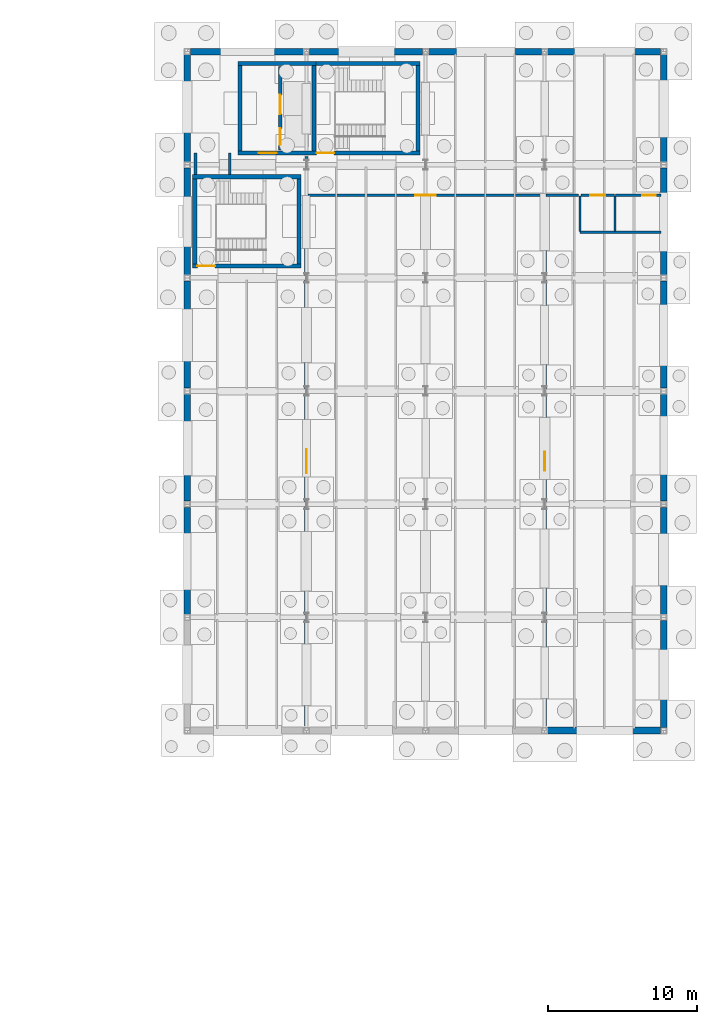
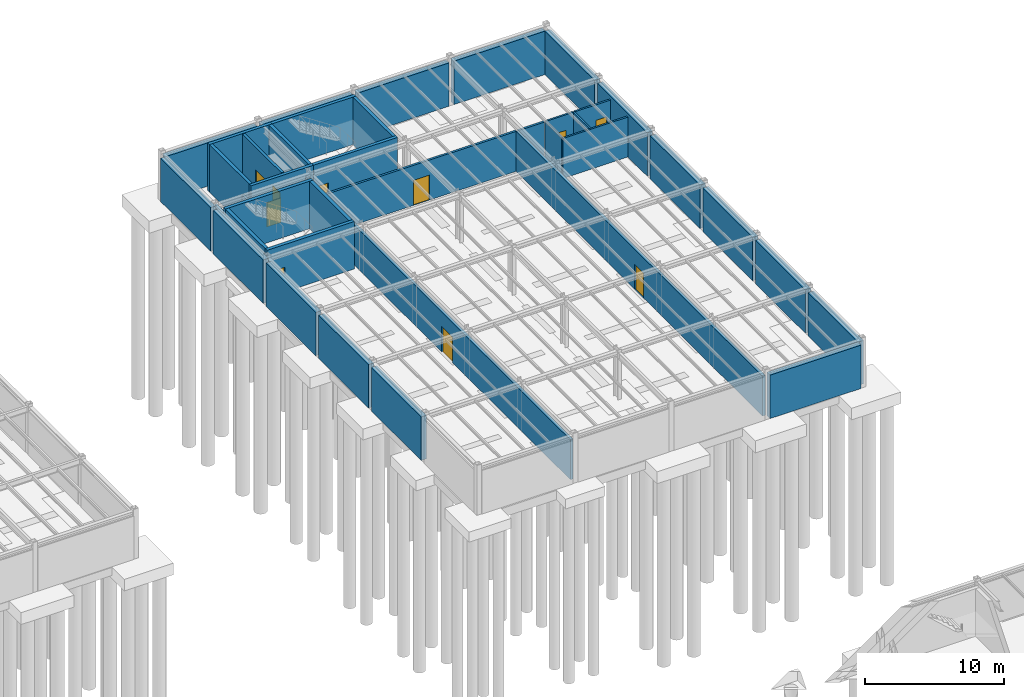
# One storey, part 29 of 33: 40 walls, 10 doors, 10 openings.
"""IFC4 building model written with IfcOpenShell, lengths in metres."""

import ifcopenshell
import ifcopenshell.guid

model = None  # the IFC model being written
_history = None  # IfcOwnerHistory: only IFC2X3 demands one
_inside = {}  # id of a spatial element -> (the spatial element, [elements in it])
_under = {}  # id of a project, library or spatial element -> (it, [spatial elements below it])
_declared = {}  # id of a project -> (the project, [libraries it declares])
_typed = {}  # id of a type object -> (the type object, [elements of that type])
_made_of = {}  # id of a material, layer set ... -> (it, [elements and type objects made of it])


def new_model(schema):
    """Start an empty IFC model of exactly this schema.

    Asked for "IFC4X3", IfcOpenShell would pick the latest addendum, in which some entities
    have other attributes; the version numbers below select the first issue.
    IFC2X3 requires an IfcOwnerHistory on every rooted entity: one is made here for all.
    """
    global model, _history
    if schema == "IFC4X3":
        model = ifcopenshell.file(schema_version=(4, 3, 0, 0))
    else:
        model = ifcopenshell.file(schema=schema)
    _inside.clear()
    _under.clear()
    _declared.clear()
    _typed.clear()
    _made_of.clear()
    _history = None
    if model.schema == "IFC2X3":
        org = make("IfcOrganization", Name="unknown")
        user = make(
            "IfcPersonAndOrganization",
            ThePerson=make("IfcPerson", FamilyName="unknown"),
            TheOrganization=org,
        )
        app = make(
            "IfcApplication",
            ApplicationDeveloper=org,
            Version="unknown",
            ApplicationFullName="unknown",
            ApplicationIdentifier="unknown",
        )
        _history = make(
            "IfcOwnerHistory",
            OwningUser=user,
            OwningApplication=app,
            ChangeAction="ADDED",
            CreationDate=0,
        )
    return model


def make(cls, **values):
    """One entity of the class cls with the attributes given. An attribute that is None is left unset."""
    return model.create_entity(
        cls, **{name: value for name, value in values.items() if value is not None}
    )


def rooted(cls, **values):
    """An entity with a GlobalId (a new one), such as an element, a storey or a relation."""
    return make(cls, GlobalId=ifcopenshell.guid.new(), OwnerHistory=_history, **values)


def si_unit(unit_type, name, prefix=None):
    """IfcSIUnit, for example si_unit("LENGTHUNIT", "METRE", prefix="MILLI")."""
    return make("IfcSIUnit", UnitType=unit_type, Prefix=prefix, Name=name)


def assignment(units):
    """IfcUnitAssignment: the units of a project."""
    return None if units is None else make("IfcUnitAssignment", Units=units)


def point(xyz):
    """IfcCartesianPoint."""
    return None if xyz is None else make("IfcCartesianPoint", Coordinates=xyz)


def direction(xyz):
    """IfcDirection."""
    return None if xyz is None else make("IfcDirection", DirectionRatios=xyz)


def frame(location, z_axis=None, x_axis=None):
    """IfcAxis2Placement3D, a coordinate frame: its origin and axes. An axis left out is left unset."""
    return make(
        "IfcAxis2Placement3D",
        Location=point(location),
        Axis=direction(z_axis),
        RefDirection=direction(x_axis),
    )


def frame_2d(location, x_axis=None):
    """IfcAxis2Placement2D, a coordinate frame in the plane: its origin and x axis."""
    return make(
        "IfcAxis2Placement2D", Location=point(location), RefDirection=direction(x_axis)
    )


def origin():
    """The frame at (0, 0, 0) with its axes left unset."""
    return frame((0.0, 0.0, 0.0))


def place(relative_to, where):
    """IfcLocalPlacement: puts the frame where relative to a parent placement (None: the world)."""
    return make(
        "IfcLocalPlacement", PlacementRelTo=relative_to, RelativePlacement=where
    )


def context(
    kind, dimensions, precision=None, world=None, true_north=None, identifier=None
):
    """IfcGeometricRepresentationContext, for example the 3D "Model" context."""
    return make(
        "IfcGeometricRepresentationContext",
        ContextIdentifier=identifier,
        ContextType=kind,
        CoordinateSpaceDimension=dimensions,
        Precision=precision,
        WorldCoordinateSystem=world,
        TrueNorth=true_north,
    )


def subcontext(parent, identifier, kind, view, scale=None):
    """IfcGeometricRepresentationSubContext, for example "Body" below "Model"."""
    return make(
        "IfcGeometricRepresentationSubContext",
        ContextIdentifier=identifier,
        ContextType=kind,
        ParentContext=parent,
        TargetScale=scale,
        TargetView=view,
    )


def project(units=None, contexts=None):
    """IfcProject with its units and contexts."""
    return rooted(
        "IfcProject",
        Name="project",
        RepresentationContexts=contexts,
        UnitsInContext=assignment(units),
    )


def spatial(cls, under=None, at=None, **own):
    """A site, building, storey or space (cls), placed at a placement, below another one or the project."""
    s = rooted(cls, ObjectPlacement=at, **own)
    if under is not None:
        _under.setdefault(under.id(), (under, []))[1].append(s)
    return s


def profile(cls, at=None, kind="AREA", **sizes):
    """A parametric profile (cls). Its sizes go by their IFC names, for example OverallWidth=200.0."""
    return make(cls, ProfileType=kind, Position=at, **sizes)


def rectangle(**sizes):
    """IfcRectangleProfileDef."""
    return profile("IfcRectangleProfileDef", **sizes)


def extrude(swept, where, along, depth):
    """IfcExtrudedAreaSolid: the profile swept, set in the frame where, extruded along a direction by depth."""
    return make(
        "IfcExtrudedAreaSolid",
        SweptArea=swept,
        Position=where,
        ExtrudedDirection=direction(along),
        Depth=depth,
    )


def shape(context_of_items, identifier, shape_type, items):
    """IfcShapeRepresentation: the items that make up one representation, for example the "Body"."""
    return make(
        "IfcShapeRepresentation",
        ContextOfItems=context_of_items,
        RepresentationIdentifier=identifier,
        RepresentationType=shape_type,
        Items=items,
    )


def material(Name=None, Category=None):
    """IfcMaterial."""
    return make("IfcMaterial", Name=Name, Category=Category)


def layer(
    of_material, thickness, ventilated=None, Name=None, Category=None, Priority=None
):
    """IfcMaterialLayer: one layer of a wall or slab, of a material (None: an air gap)."""
    return make(
        "IfcMaterialLayer",
        Material=of_material,
        LayerThickness=thickness,
        IsVentilated=ventilated,
        Name=Name,
        Category=Category,
        Priority=Priority,
    )


def layer_set(layers, Name=None):
    """IfcMaterialLayerSet."""
    return make("IfcMaterialLayerSet", MaterialLayers=layers, LayerSetName=Name)


def made_of(thing, what):
    """Note that an element or type object is made of a material, layer set ...; save() writes the relation."""
    if what is not None:
        _made_of.setdefault(what.id(), (what, []))[1].append(thing)
    return thing


def type_object(cls, material=None, **own):
    """A type object (cls), such as IfcWallType, which elements share."""
    return made_of(rooted(cls, **own), material)


def element(
    cls,
    number,
    at=None,
    inside=None,
    cuts=None,
    type_object=None,
    material=None,
    context=None,
    identifier="Body",
    shape_type=None,
    held_by="IfcProductDefinitionShape",
    body=None,
    shapes=None,
    **own,
):
    """One element of the class cls, such as IfcWall. Its Tag is "e" and its number.

    at: its placement. inside: the storey or other place that contains it. cuts: it is an
    opening in that element (IfcRelVoidsElement). A single representation is given by context,
    identifier, shape_type and body (its items); several are given by shapes. held_by: the class
    of the entity that holds the representations. save() writes the other relations.
    """
    e = rooted(cls, Tag="e%d" % number, ObjectPlacement=at, **own)
    if body is not None:
        shapes = [shape(context, identifier, shape_type, body)]
    if shapes is not None:
        e.Representation = make(held_by, Representations=shapes)
    if inside is not None:
        _inside.setdefault(inside.id(), (inside, []))[1].append(e)
    if cuts is not None:
        rooted(
            "IfcRelVoidsElement", RelatingBuildingElement=cuts, RelatedOpeningElement=e
        )
    if type_object is not None:
        _typed.setdefault(type_object.id(), (type_object, []))[1].append(e)
    return made_of(e, material)


def fill(opening, filler):
    """IfcRelFillsElement: the door or window that sits in an opening."""
    return rooted(
        "IfcRelFillsElement",
        RelatingOpeningElement=opening,
        RelatedBuildingElement=filler,
    )


def aggregate(whole, parts):
    """IfcRelAggregates: a whole, such as a stair, and the parts it consists of."""
    return rooted("IfcRelAggregates", RelatingObject=whole, RelatedObjects=parts)


def save(model, path):
    """Write the relations noted so far, then the file.

    IfcRelAggregates (storeys below a building ...), IfcRelContainedInSpatialStructure (elements
    in a storey), IfcRelDefinesByType, IfcRelAssociatesMaterial and IfcRelDeclares: one each for
    every whole, place, type object, material and project.
    """
    for whole, parts in _under.values():
        aggregate(whole, parts)
    for where, things in _inside.values():
        rooted(
            "IfcRelContainedInSpatialStructure",
            RelatedElements=things,
            RelatingStructure=where,
        )
    for kind, things in _typed.values():
        rooted("IfcRelDefinesByType", RelatedObjects=things, RelatingType=kind)
    for what, things in _made_of.values():
        rooted("IfcRelAssociatesMaterial", RelatedObjects=things, RelatingMaterial=what)
    for by, libraries in _declared.values():
        rooted("IfcRelDeclares", RelatingContext=by, RelatedDefinitions=libraries)
    model.write(path)


model = new_model("IFC4")

# Units and contexts
model_context = context("Model", 3, precision=1e-05, world=origin(), true_north=direction((0.0, 1.0)))
body_context = subcontext(model_context, "Body", "Model", "MODEL_VIEW")
ifc_project = project(units=[si_unit("LENGTHUNIT", "METRE"), si_unit("AREAUNIT", "SQUARE_METRE"), si_unit("VOLUMEUNIT", "CUBIC_METRE"), si_unit("PLANEANGLEUNIT", "RADIAN"), si_unit("MASSUNIT", "GRAM", prefix="KILO")], contexts=[model_context])

# Site, building, storey
site_placement = place(None, origin())
site = spatial("IfcSite", under=ifc_project, at=site_placement, CompositionType="ELEMENT")
building_placement = place(site_placement, origin())
building = spatial("IfcBuilding", under=site, at=building_placement, Name="Montecoro Central Library", CompositionType="ELEMENT")
storey_placement = place(building_placement, frame((0.0, 0.0, -4.419921875)))
storey = spatial("IfcBuildingStorey", under=building, at=storey_placement, Name="B1", CompositionType="ELEMENT", Elevation=-4.419921875)

# Walls
ifc_material_1 = material(Name="Concrete C35/45", Category="concrete")
ifc_layer_1 = layer(ifc_material_1, 0.455078125)
ifc_layer_set_1 = layer_set([ifc_layer_1], Name="Concrete C35/45")
wall_type_1 = type_object("IfcWallType", Name="EW-RET-455", PredefinedType="USERDEFINED", material=ifc_layer_set_1)
for number, where, z_axis, x_axis, name in (
    (1, (141.202880859375, 119.0, 0.0), (0.0, 0.0, 1.0), (1.0, 0.0, 0.0), "V5-B1-RW-N-18"),
    (2, (149.202880859375, 119.0, 0.0), (0.0, 0.0, 1.0), (1.0, 0.0, 0.0), "V5-B1-RW-N-19"),
    (3, (157.202880859375, 119.0, 0.0), (0.0, 0.0, 1.0), (1.0, 0.0, 0.0), "V5-B1-RW-N-20"),
    (4, (165.202880859375, 73.39990234375, 0.0), (0.0, 0.0, 1.0), (1.0, 0.0, 0.0), "V5-B1-RW-S-21"),
    (5, (165.202880859375, 119.0, 0.0), (0.0, 0.0, 1.0), (1.0, 0.0, 0.0), "V5-B1-RW-N-21"),
):
    element("IfcWall", number, at=place(storey_placement, frame(where, z_axis=z_axis, x_axis=x_axis)), inside=storey, type_object=wall_type_1, Name=name, ObjectType="RETAININGWALL", PredefinedType="USERDEFINED", context=body_context, shape_type="SweptSolid", body=[
        extrude(rectangle(XDim=7.59423828125, YDim=0.455078125, at=frame_2d((3.797119140625, 0.0))), origin(), (0.0, 0.0, 1.0), 3.81982421875),
    ])
for number, where, z_axis, x_axis, name in (
    (6, (173.0, 73.60302734375, 0.0), (0.0, 0.0, 1.0), (0.0, 1.0, 0.0), "V5-B1-RW-E-K"),
    (7, (141.0, 81.202880859375, 0.0), (0.0, 0.0, 1.0), (0.0, 1.0, 0.0), "V5-B1-RW-W-L"),
    (8, (173.0, 81.202880859375, 0.0), (0.0, 0.0, 1.0), (0.0, 1.0, 0.0), "V5-B1-RW-E-L"),
    (9, (141.0, 88.802978515625, 0.0), (0.0, 0.0, 1.0), (0.0, 1.0, 0.0), "V5-B1-RW-W-M"),
    (10, (173.0, 88.802978515625, 0.0), (0.0, 0.0, 1.0), (0.0, 1.0, 0.0), "V5-B1-RW-E-M"),
):
    element("IfcWall", number, at=place(storey_placement, frame(where, z_axis=z_axis, x_axis=x_axis)), inside=storey, type_object=wall_type_1, Name=name, ObjectType="RETAININGWALL", PredefinedType="USERDEFINED", context=body_context, shape_type="SweptSolid", body=[
        extrude(rectangle(XDim=7.194091796875, YDim=0.455078125, at=frame_2d((3.59716796875, 0.0))), origin(), (0.0, 0.0, 1.0), 3.81982421875),
    ])
for number, where, z_axis, x_axis, name in (
    (11, (141.0, 96.403076171875, 0.0), (0.0, 0.0, 1.0), (0.0, 1.0, 0.0), "V5-B1-RW-W-N"),
    (12, (173.0, 96.403076171875, 0.0), (0.0, 0.0, 1.0), (0.0, 1.0, 0.0), "V5-B1-RW-E-N"),
):
    element("IfcWall", number, at=place(storey_placement, frame(where, z_axis=z_axis, x_axis=x_axis)), inside=storey, type_object=wall_type_1, Name=name, ObjectType="RETAININGWALL", PredefinedType="USERDEFINED", context=body_context, shape_type="SweptSolid", body=[
        extrude(rectangle(XDim=7.19384765625, YDim=0.455078125, at=frame_2d((3.596923828125, 0.0))), origin(), (0.0, 0.0, 1.0), 3.81982421875),
    ])
for number, where, z_axis, x_axis, name in (
    (13, (141.0, 104.0029296875, 0.0), (0.0, 0.0, 1.0), (0.0, 1.0, 0.0), "V5-B1-RW-W-P"),
    (14, (173.0, 104.0029296875, 0.0), (0.0, 0.0, 1.0), (0.0, 1.0, 0.0), "V5-B1-RW-E-P"),
    (15, (141.0, 111.60302734375, 0.0), (0.0, 0.0, 1.0), (0.0, 1.0, 0.0), "V5-B1-RW-W-Q"),
    (16, (173.0, 111.60302734375, 0.0), (0.0, 0.0, 1.0), (0.0, 1.0, 0.0), "V5-B1-RW-E-Q"),
):
    element("IfcWall", number, at=place(storey_placement, frame(where, z_axis=z_axis, x_axis=x_axis)), inside=storey, type_object=wall_type_1, Name=name, ObjectType="RETAININGWALL", PredefinedType="USERDEFINED", context=body_context, shape_type="SweptSolid", body=[
        extrude(rectangle(XDim=7.194091796875, YDim=0.455078125, at=frame_2d((3.59716796875, 0.0))), origin(), (0.0, 0.0, 1.0), 3.81982421875),
    ])

# Wall, opening, door
ifc_material_2 = material(Name="Gypsum fire-rated partition")
ifc_layer_2 = layer(ifc_material_2, 0.179931640625)
ifc_layer_set_2 = layer_set([ifc_layer_2], Name="Gypsum fire-rated partition")
wall_type_2 = type_object("IfcWallType", Name="IW-COR-180", PredefinedType="PARTITIONING", material=ifc_layer_set_2)
wall_1_placement = place(storey_placement, frame((149.090087890625, 109.35009765625, 0.0), z_axis=(0.0, 0.0, 1.0), x_axis=(1.0, 0.0, 0.0)))
wall_1 = element("IfcWall", 17, at=wall_1_placement, inside=storey, type_object=wall_type_2, Name="CORW-V5-B1-03", PredefinedType="PARTITIONING", context=body_context, shape_type="SweptSolid", body=[
    extrude(rectangle(XDim=15.81982421875, YDim=0.179931640625, at=frame_2d((7.909912109375, 0.0))), origin(), (0.0, 0.0, 1.0), 3.52001953125),
])
opening_1_placement = place(wall_1_placement, frame((7.22998046875, 0.0, 0.0)))
opening_1 = element("IfcOpeningElement", 18, at=opening_1_placement, cuts=wall_1, Name="Opening ID-05", PredefinedType="OPENING", context=body_context, shape_type="SweptSolid", body=[
    extrude(rectangle(XDim=1.360107421875, YDim=2.199951171875, at=frame_2d((0.68017578125, 1.10009765625))), frame((0.0, 0.099853515625, 0.0), z_axis=(0.0, -1.0, 0.0), x_axis=(1.0, 0.0, 0.0)), (0.0, 0.0, 1.0), 0.199951171875),
])
ifc_material_3 = material(Name="Solid oak and fire-rated steel door", Category="steel")
door_type_1 = type_object("IfcDoorType", Name="ID-VLT-136", OperationType="NOTDEFINED", PredefinedType="DOOR", material=ifc_material_3)
door_1_placement = place(opening_1_placement, origin())
door_1 = element("IfcDoor", 19, at=door_1_placement, inside=storey, type_object=door_type_1, Name="DR-SP-V5-B1-R2P1", OperationType="SINGLE_SWING_LEFT", OverallHeight=2.199951171875, OverallWidth=1.360107421875, PredefinedType="DOOR", context=body_context, shape_type="SweptSolid", body=[
    extrude(rectangle(XDim=1.360107421875, YDim=2.199951171875, at=frame_2d((0.68017578125, 1.10009765625))), frame((0.0, 0.02490234375, 0.0), z_axis=(0.0, -1.0, 0.0), x_axis=(1.0, 0.0, 0.0)), (0.0, 0.0, 1.0), 0.050048828125),
])
fill(opening_1, door_1)

# Walls
wall_2_placement = place(storey_placement, frame((165.090087890625, 109.35009765625, 0.0), z_axis=(0.0, 0.0, 1.0), x_axis=(1.0, 0.0, 0.0)))
element("IfcWall", 20, at=wall_2_placement, inside=storey, type_object=wall_type_2, Name="CORW-V5-B1-04", PredefinedType="PARTITIONING", context=body_context, shape_type="SweptSolid", body=[
    extrude(rectangle(XDim=2.169921875, YDim=0.179931640625, at=frame_2d((1.0849609375, 0.0))), origin(), (0.0, 0.0, 1.0), 3.52001953125),
])
wall_3_placement = place(storey_placement, frame((149.0, 111.639892578125, 0.0), z_axis=(0.0, 0.0, 1.0), x_axis=(0.0, 1.0, 0.0)))
element("IfcWall", 21, at=wall_3_placement, inside=storey, type_object=wall_type_2, Name="PIL-V5-B1-1", PredefinedType="PARTITIONING", context=body_context, shape_type="SweptSolid", body=[
    extrude(rectangle(XDim=0.320068359375, YDim=0.179931640625, at=frame_2d((0.16015625, 0.0))), origin(), (0.0, 0.0, 1.0), 3.52001953125),
])
for number, where, z_axis, x_axis, name in (
    (22, (141.550048828125, 110.760009765625, 0.0), (0.0, 0.0, 1.0), (0.0, 1.0, 0.0), "SPRW-V5-B1-1W1"),
    (23, (143.85009765625, 110.760009765625, 0.0), (0.0, 0.0, 1.0), (0.0, 1.0, 0.0), "SPRW-V5-B1-1E1"),
):
    element("IfcWall", number, at=place(storey_placement, frame(where, z_axis=z_axis, x_axis=x_axis)), inside=storey, type_object=wall_type_2, Name=name, PredefinedType="PARTITIONING", context=body_context, shape_type="SweptSolid", body=[
        extrude(rectangle(XDim=1.43994140625, YDim=0.179931640625, at=frame_2d((0.719970703125, 0.0))), origin(), (0.0, 0.0, 1.0), 3.52001953125),
    ])

# Wall, openings, doors
ifc_material_4 = material(Name="Concrete C32/40", Category="concrete")
ifc_layer_3 = layer(ifc_material_4, 0.219970703125)
ifc_layer_set_3 = layer_set([ifc_layer_3], Name="Concrete C32/40")
wall_type_3 = type_object("IfcWallType", Name="IW-FFL-220", PredefinedType="SOLIDWALL", material=ifc_layer_set_3)
wall_4_placement = place(storey_placement, frame((147.25, 112.39990234375, 0.0), z_axis=(0.0, 0.0, 1.0), x_axis=(0.0, 1.0, 0.0)))
wall_4 = element("IfcWall", 24, at=wall_4_placement, inside=storey, type_object=wall_type_3, Name="C6-B1-WLSH", PredefinedType="SOLIDWALL", context=body_context, shape_type="SweptSolid", body=[
    extrude(rectangle(XDim=5.60009765625, YDim=0.219970703125, at=frame_2d((2.800048828125, 0.0))), origin(), (0.0, 0.0, 1.0), 4.184814453125),
])
opening_2_placement = place(wall_4_placement, frame((0.35009765625, 0.0, 0.0)))
opening_2 = element("IfcOpeningElement", 25, at=opening_2_placement, cuts=wall_4, Name="Opening LD-01", PredefinedType="OPENING", context=body_context, shape_type="SweptSolid", body=[
    extrude(rectangle(XDim=1.10009765625, YDim=2.14990234375, at=frame_2d((0.550048828125, 1.074951171875))), frame((0.0, 0.119873046875, 0.0), z_axis=(0.0, -1.0, 0.0), x_axis=(1.0, 0.0, 0.0)), (0.0, 0.0, 1.0), 0.239990234375),
])
opening_3_placement = place(wall_4_placement, frame((2.39990234375, 0.0, 0.0)))
opening_3 = element("IfcOpeningElement", 26, at=opening_3_placement, cuts=wall_4, Name="Opening LD-02", PredefinedType="OPENING", context=body_context, shape_type="SweptSolid", body=[
    extrude(rectangle(XDim=1.300048828125, YDim=2.179931640625, at=frame_2d((0.64990234375, 1.08984375))), frame((0.0, 0.119873046875, 0.0), z_axis=(0.0, -1.0, 0.0), x_axis=(1.0, 0.0, 0.0)), (0.0, 0.0, 1.0), 0.239990234375),
])
door_type_2 = type_object("IfcDoorType", Name="LD-LIFT-110", OperationType="NOTDEFINED", PredefinedType="DOOR", material=ifc_material_3)
door_2_placement = place(opening_2_placement, origin())
door_2 = element("IfcDoor", 27, at=door_2_placement, inside=storey, type_object=door_type_2, Name="C6-B1-LD-FFL-02", OperationType="SLIDING_TO_LEFT", OverallHeight=2.14990234375, OverallWidth=1.10009765625, PredefinedType="DOOR", context=body_context, shape_type="SweptSolid", body=[
    extrude(rectangle(XDim=1.10009765625, YDim=2.14990234375, at=frame_2d((0.550048828125, 1.074951171875))), frame((0.0, 0.02490234375, 0.0), z_axis=(0.0, -1.0, 0.0), x_axis=(1.0, 0.0, 0.0)), (0.0, 0.0, 1.0), 0.050048828125),
])
fill(opening_2, door_2)
door_type_3 = type_object("IfcDoorType", Name="LD-LIFT-130", OperationType="NOTDEFINED", PredefinedType="DOOR", material=ifc_material_3)
door_3_placement = place(opening_3_placement, origin())
door_3 = element("IfcDoor", 28, at=door_3_placement, inside=storey, type_object=door_type_3, Name="C6-B1-LD-GL-01", OperationType="SLIDING_TO_LEFT", OverallHeight=2.179931640625, OverallWidth=1.300048828125, PredefinedType="DOOR", context=body_context, shape_type="SweptSolid", body=[
    extrude(rectangle(XDim=1.300048828125, YDim=2.179931640625, at=frame_2d((0.64990234375, 1.08984375))), frame((0.0, 0.02490234375, 0.0), z_axis=(0.0, -1.0, 0.0), x_axis=(1.0, 0.0, 0.0)), (0.0, 0.0, 1.0), 0.050048828125),
])
fill(opening_3, door_3)

# Wall, opening, door
ifc_layer_4 = layer(ifc_material_1, 0.260009765625)
ifc_layer_set_4 = layer_set([ifc_layer_4], Name="Concrete C35/45")
wall_type_4 = type_object("IfcWallType", Name="IW-SHR-260", PredefinedType="SHEAR", material=ifc_layer_set_4)
wall_5_placement = place(storey_placement, frame((144.419921875, 112.199951171875, 0.0), z_axis=(0.0, 0.0, 1.0), x_axis=(1.0, 0.0, 0.0)))
wall_5 = element("IfcWall", 29, at=wall_5_placement, inside=storey, type_object=wall_type_4, Name="C6-B1-LWS", PredefinedType="SHEAR", context=body_context, shape_type="SweptSolid", body=[
    extrude(rectangle(XDim=5.2099609375, YDim=0.260009765625, at=frame_2d((2.60498046875, 0.0))), origin(), (0.0, 0.0, 1.0), 4.184814453125),
])
opening_4_placement = place(wall_5_placement, frame((1.3798828125, 0.0, 0.0)))
opening_4 = element("IfcOpeningElement", 30, at=opening_4_placement, cuts=wall_5, Name="Opening ID-03", PredefinedType="OPENING", context=body_context, shape_type="SweptSolid", body=[
    extrude(rectangle(XDim=1.199951171875, YDim=2.159912109375, at=frame_2d((0.60009765625, 1.080078125))), frame((0.0, 0.139892578125, 0.0), z_axis=(0.0, -1.0, 0.0), x_axis=(1.0, 0.0, 0.0)), (0.0, 0.0, 1.0), 0.280029296875),
])
door_type_4 = type_object("IfcDoorType", Name="ID-FFL-120", OperationType="NOTDEFINED", PredefinedType="DOOR", material=ifc_material_3)
door_4_placement = place(opening_4_placement, origin())
door_4 = element("IfcDoor", 31, at=door_4_placement, inside=storey, type_object=door_type_4, Name="C6-B1-DLOB", OperationType="SINGLE_SWING_LEFT", OverallHeight=2.159912109375, OverallWidth=1.199951171875, PredefinedType="DOOR", context=body_context, shape_type="SweptSolid", body=[
    extrude(rectangle(XDim=1.199951171875, YDim=2.159912109375, at=frame_2d((0.60009765625, 1.080078125))), frame((0.0, 0.02490234375, 0.0), z_axis=(0.0, -1.0, 0.0), x_axis=(1.0, 0.0, 0.0)), (0.0, 0.0, 1.0), 0.050048828125),
])
fill(opening_4, door_4)

# Walls
wall_6_placement = place(storey_placement, frame((149.6298828125, 118.199951171875, 0.0), z_axis=(0.0, 0.0, 1.0), x_axis=(-1.0, 0.0, 0.0)))
element("IfcWall", 32, at=wall_6_placement, inside=storey, type_object=wall_type_4, Name="C6-B1-LWN", PredefinedType="SHEAR", context=body_context, shape_type="SweptSolid", body=[
    extrude(rectangle(XDim=5.2099609375, YDim=0.260009765625, at=frame_2d((2.60498046875, 0.0))), origin(), (0.0, 0.0, 1.0), 4.184814453125),
])
wall_7_placement = place(storey_placement, frame((144.550048828125, 118.070068359375, 0.0), z_axis=(0.0, 0.0, 1.0), x_axis=(0.0, -1.0, 0.0)))
element("IfcWall", 33, at=wall_7_placement, inside=storey, type_object=wall_type_4, Name="C6-B1-LWW", PredefinedType="SHEAR", context=body_context, shape_type="SweptSolid", body=[
    extrude(rectangle(XDim=5.739990234375, YDim=0.260009765625, at=frame_2d((2.8701171875, 0.0))), origin(), (0.0, 0.0, 1.0), 4.184814453125),
])

# Wall, opening, door
wall_8_placement = place(storey_placement, frame((149.3701171875, 112.199951171875, 0.0), z_axis=(0.0, 0.0, 1.0), x_axis=(1.0, 0.0, 0.0)))
wall_8 = element("IfcWall", 34, at=wall_8_placement, inside=storey, type_object=wall_type_4, Name="C6-B1-WS", PredefinedType="SHEAR", context=body_context, shape_type="SweptSolid", body=[
    extrude(rectangle(XDim=7.259765625, YDim=0.260009765625, at=frame_2d((3.6298828125, 0.0))), origin(), (0.0, 0.0, 1.0), 4.184814453125),
])
opening_5_placement = place(wall_8_placement, frame((0.31005859375, 0.0, 0.0)))
opening_5 = element("IfcOpeningElement", 35, at=opening_5_placement, cuts=wall_8, Name="Opening ID-02", PredefinedType="OPENING", context=body_context, shape_type="SweptSolid", body=[
    extrude(rectangle(XDim=1.179931640625, YDim=2.179931640625, at=frame_2d((0.58984375, 1.08984375))), frame((0.0, 0.139892578125, 0.0), z_axis=(0.0, -1.0, 0.0), x_axis=(1.0, 0.0, 0.0)), (0.0, 0.0, 1.0), 0.280029296875),
])
door_type_5 = type_object("IfcDoorType", Name="ID-STR-135", OperationType="NOTDEFINED", PredefinedType="DOOR", material=ifc_material_3)
door_5_placement = place(opening_5_placement, origin())
door_5 = element("IfcDoor", 36, at=door_5_placement, inside=storey, type_object=door_type_5, Name="C6-B1-DSTR", OperationType="SINGLE_SWING_RIGHT", OverallHeight=2.179931640625, OverallWidth=1.179931640625, PredefinedType="DOOR", context=body_context, shape_type="SweptSolid", body=[
    extrude(rectangle(XDim=1.179931640625, YDim=2.179931640625, at=frame_2d((0.58984375, 1.08984375))), frame((0.0, 0.02490234375, 0.0), z_axis=(0.0, -1.0, 0.0), x_axis=(1.0, 0.0, 0.0)), (0.0, 0.0, 1.0), 0.050048828125),
])
fill(opening_5, door_5)

# Walls
wall_9_placement = place(storey_placement, frame((149.3701171875, 118.199951171875, 0.0), z_axis=(0.0, 0.0, 1.0), x_axis=(1.0, 0.0, 0.0)))
element("IfcWall", 37, at=wall_9_placement, inside=storey, type_object=wall_type_4, Name="C6-B1-WN", PredefinedType="SHEAR", context=body_context, shape_type="SweptSolid", body=[
    extrude(rectangle(XDim=7.259765625, YDim=0.260009765625, at=frame_2d((3.6298828125, 0.0))), origin(), (0.0, 0.0, 1.0), 4.184814453125),
])
for number, where, z_axis, x_axis, name in (
    (38, (149.5, 112.330078125, 0.0), (0.0, 0.0, 1.0), (0.0, 1.0, 0.0), "C6-B1-WW"),
    (39, (156.5, 112.330078125, 0.0), (0.0, 0.0, 1.0), (0.0, 1.0, 0.0), "C6-B1-WE"),
):
    element("IfcWall", number, at=place(storey_placement, frame(where, z_axis=z_axis, x_axis=x_axis)), inside=storey, type_object=wall_type_4, Name=name, PredefinedType="SHEAR", context=body_context, shape_type="SweptSolid", body=[
        extrude(rectangle(XDim=5.739990234375, YDim=0.260009765625, at=frame_2d((2.8701171875, 0.0))), origin(), (0.0, 0.0, 1.0), 4.184814453125),
    ])

# Wall, opening, door
ifc_layer_5 = layer(ifc_material_1, 0.280029296875)
ifc_layer_set_5 = layer_set([ifc_layer_5], Name="Concrete C35/45")
wall_type_5 = type_object("IfcWallType", Name="IW-SHR-280", PredefinedType="SHEAR", material=ifc_layer_set_5)
wall_10_placement = place(storey_placement, frame((141.360107421875, 104.60009765625, 0.0), z_axis=(0.0, 0.0, 1.0), x_axis=(1.0, 0.0, 0.0)))
wall_10 = element("IfcWall", 40, at=wall_10_placement, inside=storey, type_object=wall_type_5, Name="C8-B1-WS", PredefinedType="SHEAR", context=body_context, shape_type="SweptSolid", body=[
    extrude(rectangle(XDim=7.27978515625, YDim=0.280029296875, at=frame_2d((3.639892578125, 0.0))), origin(), (0.0, 0.0, 1.0), 4.184814453125),
])
opening_6_placement = place(wall_10_placement, frame((0.320068359375, 0.0, 0.0)))
opening_6 = element("IfcOpeningElement", 41, at=opening_6_placement, cuts=wall_10, Name="Opening ID-02", PredefinedType="OPENING", context=body_context, shape_type="SweptSolid", body=[
    extrude(rectangle(XDim=1.179931640625, YDim=2.179931640625, at=frame_2d((0.58984375, 1.08984375))), frame((0.0, 0.14990234375, 0.0), z_axis=(0.0, -1.0, 0.0), x_axis=(1.0, 0.0, 0.0)), (0.0, 0.0, 1.0), 0.300048828125),
])
door_6_placement = place(opening_6_placement, origin())
door_6 = element("IfcDoor", 42, at=door_6_placement, inside=storey, type_object=door_type_5, Name="C8-B1-DSTR", OperationType="SINGLE_SWING_LEFT", OverallHeight=2.179931640625, OverallWidth=1.179931640625, PredefinedType="DOOR", context=body_context, shape_type="SweptSolid", body=[
    extrude(rectangle(XDim=1.179931640625, YDim=2.179931640625, at=frame_2d((0.58984375, 1.08984375))), frame((0.0, 0.02490234375, 0.0), z_axis=(0.0, -1.0, 0.0), x_axis=(1.0, 0.0, 0.0)), (0.0, 0.0, 1.0), 0.050048828125),
])
fill(opening_6, door_6)

# Walls
wall_11_placement = place(storey_placement, frame((141.360107421875, 110.60009765625, 0.0), z_axis=(0.0, 0.0, 1.0), x_axis=(1.0, 0.0, 0.0)))
element("IfcWall", 43, at=wall_11_placement, inside=storey, type_object=wall_type_5, Name="C8-B1-WN", PredefinedType="SHEAR", context=body_context, shape_type="SweptSolid", body=[
    extrude(rectangle(XDim=7.27978515625, YDim=0.280029296875, at=frame_2d((3.639892578125, 0.0))), origin(), (0.0, 0.0, 1.0), 4.184814453125),
])
for number, where, z_axis, x_axis, name in (
    (44, (141.5, 104.739990234375, 0.0), (0.0, 0.0, 1.0), (0.0, 1.0, 0.0), "C8-B1-WW"),
    (45, (148.5, 104.739990234375, 0.0), (0.0, 0.0, 1.0), (0.0, 1.0, 0.0), "C8-B1-WE"),
):
    element("IfcWall", number, at=place(storey_placement, frame(where, z_axis=z_axis, x_axis=x_axis)), inside=storey, type_object=wall_type_5, Name=name, PredefinedType="SHEAR", context=body_context, shape_type="SweptSolid", body=[
        extrude(rectangle(XDim=5.719970703125, YDim=0.280029296875, at=frame_2d((2.85986328125, 0.0))), origin(), (0.0, 0.0, 1.0), 4.184814453125),
    ])

# Wall, opening, door
ifc_layer_6 = layer(ifc_material_4, 0.239990234375)
ifc_layer_set_6 = layer_set([ifc_layer_6], Name="Concrete C32/40")
wall_type_6 = type_object("IfcWallType", Name="IW-VLT-240", PredefinedType="SOLIDWALL", material=ifc_layer_set_6)
wall_12_placement = place(storey_placement, frame((149.0, 73.719970703125, 0.0), z_axis=(0.0, 0.0, 1.0), x_axis=(0.0, 1.0, 0.0)))
wall_12 = element("IfcWall", 46, at=wall_12_placement, inside=storey, type_object=wall_type_6, Name="Archival Vault Enclosure Wall", PredefinedType="SOLIDWALL", context=body_context, shape_type="SweptSolid", body=[
    extrude(rectangle(XDim=35.5400390625, YDim=0.239990234375, at=frame_2d((17.77001953125, 0.0))), origin(), (0.0, 0.0, 1.0), 3.52001953125),
])
opening_7_placement = place(wall_12_placement, frame((16.969970703125, 0.0, 0.0)))
opening_7 = element("IfcOpeningElement", 47, at=opening_7_placement, cuts=wall_12, Name="Opening ID-06", PredefinedType="OPENING", context=body_context, shape_type="SweptSolid", body=[
    extrude(rectangle(XDim=1.60009765625, YDim=2.25, at=frame_2d((0.800048828125, 1.125))), frame((0.0, 0.1298828125, 0.0), z_axis=(0.0, -1.0, 0.0), x_axis=(1.0, 0.0, 0.0)), (0.0, 0.0, 1.0), 0.260009765625),
])
door_type_6 = type_object("IfcDoorType", Name="ID-COR-160", OperationType="NOTDEFINED", PredefinedType="DOOR", material=ifc_material_3)
door_7_placement = place(opening_7_placement, origin())
door_7 = element("IfcDoor", 48, at=door_7_placement, inside=storey, type_object=door_type_6, Name="DR-SP-V5-B1-R1P1", OperationType="DOUBLE_DOOR_SINGLE_SWING", OverallHeight=2.25, OverallWidth=1.60009765625, PredefinedType="DOOR", context=body_context, shape_type="SweptSolid", body=[
    extrude(rectangle(XDim=1.60009765625, YDim=2.25, at=frame_2d((0.800048828125, 1.125))), frame((0.0, 0.02490234375, 0.0), z_axis=(0.0, -1.0, 0.0), x_axis=(1.0, 0.0, 0.0)), (0.0, 0.0, 1.0), 0.050048828125),
])
fill(opening_7, door_7)

wall_13_placement = place(storey_placement, frame((165.0, 73.719970703125, 0.0), z_axis=(0.0, 0.0, 1.0), x_axis=(0.0, 1.0, 0.0)))
wall_13 = element("IfcWall", 49, at=wall_13_placement, inside=storey, type_object=wall_type_6, Name="Archival Vault Enclosure Wall", PredefinedType="SOLIDWALL", context=body_context, shape_type="SweptSolid", body=[
    extrude(rectangle(XDim=35.5400390625, YDim=0.239990234375, at=frame_2d((17.77001953125, 0.0))), origin(), (0.0, 0.0, 1.0), 3.52001953125),
])
opening_8_placement = place(wall_13_placement, frame((17.1201171875, 0.0, 0.0)))
opening_8 = element("IfcOpeningElement", 50, at=opening_8_placement, cuts=wall_13, Name="Opening ID-04", PredefinedType="OPENING", context=body_context, shape_type="SweptSolid", body=[
    extrude(rectangle(XDim=1.300048828125, YDim=2.199951171875, at=frame_2d((0.64990234375, 1.10009765625))), frame((0.0, 0.1298828125, 0.0), z_axis=(0.0, -1.0, 0.0), x_axis=(1.0, 0.0, 0.0)), (0.0, 0.0, 1.0), 0.260009765625),
])
door_type_7 = type_object("IfcDoorType", Name="ID-VLT-130", OperationType="NOTDEFINED", PredefinedType="DOOR", material=ifc_material_3)
door_8_placement = place(opening_8_placement, origin())
door_8 = element("IfcDoor", 51, at=door_8_placement, inside=storey, type_object=door_type_7, Name="DR-SP-V5-B1-R3P1", OperationType="SINGLE_SWING_RIGHT", OverallHeight=2.199951171875, OverallWidth=1.300048828125, PredefinedType="DOOR", context=body_context, shape_type="SweptSolid", body=[
    extrude(rectangle(XDim=1.300048828125, YDim=2.199951171875, at=frame_2d((0.64990234375, 1.10009765625))), frame((0.0, 0.02490234375, 0.0), z_axis=(0.0, -1.0, 0.0), x_axis=(1.0, 0.0, 0.0)), (0.0, 0.0, 1.0), 0.050048828125),
])
fill(opening_8, door_8)

# Walls
ifc_material_5 = material(Name="Moisture-resistant ceramic-tiled partition")
ifc_layer_7 = layer(ifc_material_5, 0.14990234375)
ifc_layer_set_7 = layer_set([ifc_layer_7], Name="Moisture-resistant ceramic-tiled partition")
wall_type_7 = type_object("IfcWallType", Name="IW-WET-150", PredefinedType="PARTITIONING", material=ifc_layer_set_7)
wall_14_placement = place(storey_placement, frame((167.3798828125, 106.8701171875, 0.0), z_axis=(0.0, 0.0, 1.0), x_axis=(1.0, 0.0, 0.0)))
element("IfcWall", 52, at=wall_14_placement, inside=storey, type_object=wall_type_7, Name="WC-V5-B1-WBK", PredefinedType="PARTITIONING", context=body_context, shape_type="SweptSolid", body=[
    extrude(rectangle(XDim=5.420166015625, YDim=0.14990234375, at=frame_2d((2.7099609375, 0.0))), origin(), (0.0, 0.0, 1.0), 3.52001953125),
])
for number, where, z_axis, x_axis, name in (
    (53, (167.3798828125, 106.929931640625, 0.0), (0.0, 0.0, 1.0), (0.0, 1.0, 0.0), "WC-V5-B1-WW"),
    (54, (169.72998046875, 106.929931640625, 0.0), (0.0, 0.0, 1.0), (0.0, 1.0, 0.0), "WC-V5-B1-WM"),
):
    element("IfcWall", number, at=place(storey_placement, frame(where, z_axis=z_axis, x_axis=x_axis)), inside=storey, type_object=wall_type_7, Name=name, PredefinedType="PARTITIONING", context=body_context, shape_type="SweptSolid", body=[
        extrude(rectangle(XDim=2.360107421875, YDim=0.14990234375, at=frame_2d((1.18017578125, 0.0))), origin(), (0.0, 0.0, 1.0), 3.52001953125),
    ])

# Wall, opening, door
wall_15_placement = place(storey_placement, frame((167.43994140625, 109.35009765625, 0.0), z_axis=(0.0, 0.0, 1.0), x_axis=(1.0, 0.0, 0.0)))
wall_15 = element("IfcWall", 55, at=wall_15_placement, inside=storey, type_object=wall_type_7, Name="WC-V5-B1-WFA", PredefinedType="PARTITIONING", context=body_context, shape_type="SweptSolid", body=[
    extrude(rectangle(XDim=2.25, YDim=0.14990234375, at=frame_2d((1.125, 0.0))), origin(), (0.0, 0.0, 1.0), 3.52001953125),
])
opening_9_placement = place(wall_15_placement, frame((0.625, 0.0, 0.0)))
opening_9 = element("IfcOpeningElement", 56, at=opening_9_placement, cuts=wall_15, Name="Opening ID-15", PredefinedType="OPENING", context=body_context, shape_type="SweptSolid", body=[
    extrude(rectangle(XDim=1.0, YDim=2.14990234375, at=frame_2d((0.5, 1.074951171875))), frame((0.0, 0.0849609375, 0.0), z_axis=(0.0, -1.0, 0.0), x_axis=(1.0, 0.0, 0.0)), (0.0, 0.0, 1.0), 0.169921875),
])
door_type_8 = type_object("IfcDoorType", Name="ID-AWC-100", OperationType="NOTDEFINED", PredefinedType="DOOR", material=ifc_material_3)
door_9_placement = place(opening_9_placement, origin())
door_9 = element("IfcDoor", 57, at=door_9_placement, inside=storey, type_object=door_type_8, Name="DR-SP-V5-B1-AWC", OperationType="SINGLE_SWING_LEFT", OverallHeight=2.14990234375, OverallWidth=1.0, PredefinedType="DOOR", context=body_context, shape_type="SweptSolid", body=[
    extrude(rectangle(XDim=1.0, YDim=2.14990234375, at=frame_2d((0.5, 1.074951171875))), frame((0.0, 0.02490234375, 0.0), z_axis=(0.0, -1.0, 0.0), x_axis=(1.0, 0.0, 0.0)), (0.0, 0.0, 1.0), 0.050048828125),
])
fill(opening_9, door_9)

wall_16_placement = place(storey_placement, frame((169.77001953125, 109.35009765625, 0.0), z_axis=(0.0, 0.0, 1.0), x_axis=(1.0, 0.0, 0.0)))
wall_16 = element("IfcWall", 58, at=wall_16_placement, inside=storey, type_object=wall_type_7, Name="WC-V5-B1-WFP", PredefinedType="PARTITIONING", context=body_context, shape_type="SweptSolid", body=[
    extrude(rectangle(XDim=3.030029296875, YDim=0.14990234375, at=frame_2d((1.51513671875, 0.0))), origin(), (0.0, 0.0, 1.0), 3.52001953125),
])
opening_10_placement = place(wall_16_placement, frame((1.780029296875, 0.0, 0.0)))
opening_10 = element("IfcOpeningElement", 59, at=opening_10_placement, cuts=wall_16, Name="Opening ID-16", PredefinedType="OPENING", context=body_context, shape_type="SweptSolid", body=[
    extrude(rectangle(XDim=0.89990234375, YDim=2.14990234375, at=frame_2d((0.449951171875, 1.074951171875))), frame((0.0, 0.0849609375, 0.0), z_axis=(0.0, -1.0, 0.0), x_axis=(1.0, 0.0, 0.0)), (0.0, 0.0, 1.0), 0.169921875),
])
door_type_9 = type_object("IfcDoorType", Name="ID-WC-090", OperationType="NOTDEFINED", PredefinedType="DOOR", material=ifc_material_3)
door_10_placement = place(opening_10_placement, origin())
door_10 = element("IfcDoor", 60, at=door_10_placement, inside=storey, type_object=door_type_9, Name="DR-SP-V5-B1-PWC", OperationType="SINGLE_SWING_RIGHT", OverallHeight=2.14990234375, OverallWidth=0.89990234375, PredefinedType="DOOR", context=body_context, shape_type="SweptSolid", body=[
    extrude(rectangle(XDim=0.89990234375, YDim=2.14990234375, at=frame_2d((0.449951171875, 1.074951171875))), frame((0.0, 0.02490234375, 0.0), z_axis=(0.0, -1.0, 0.0), x_axis=(1.0, 0.0, 0.0)), (0.0, 0.0, 1.0), 0.050048828125),
])
fill(opening_10, door_10)

save(model, "model.ifc")
